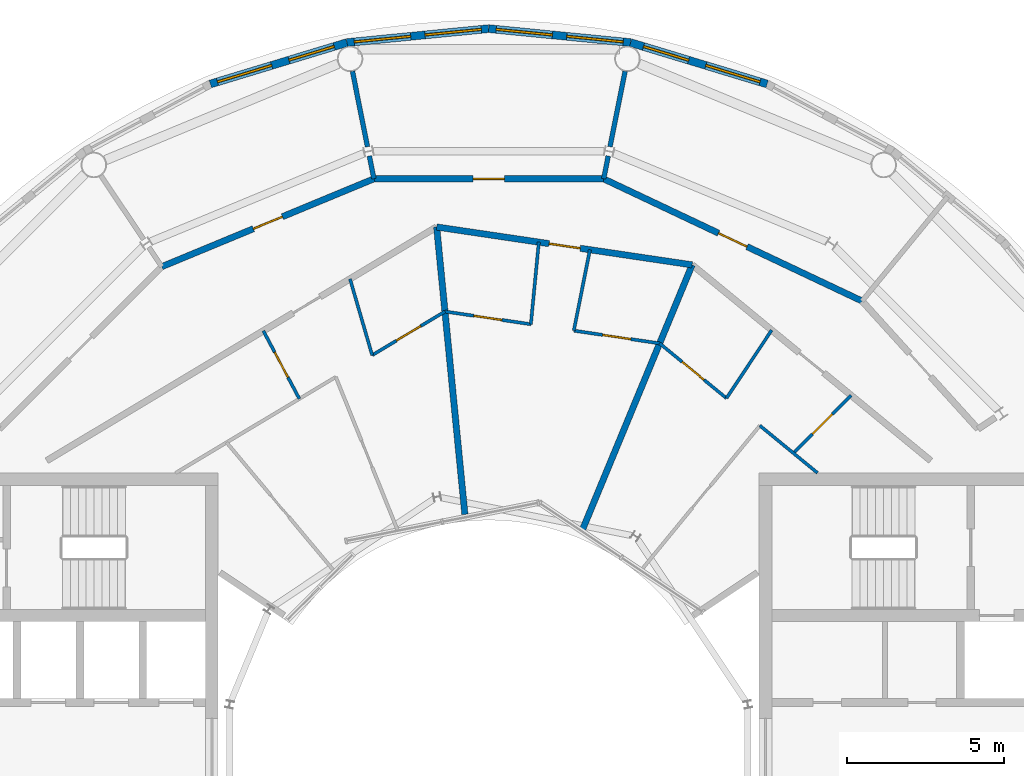
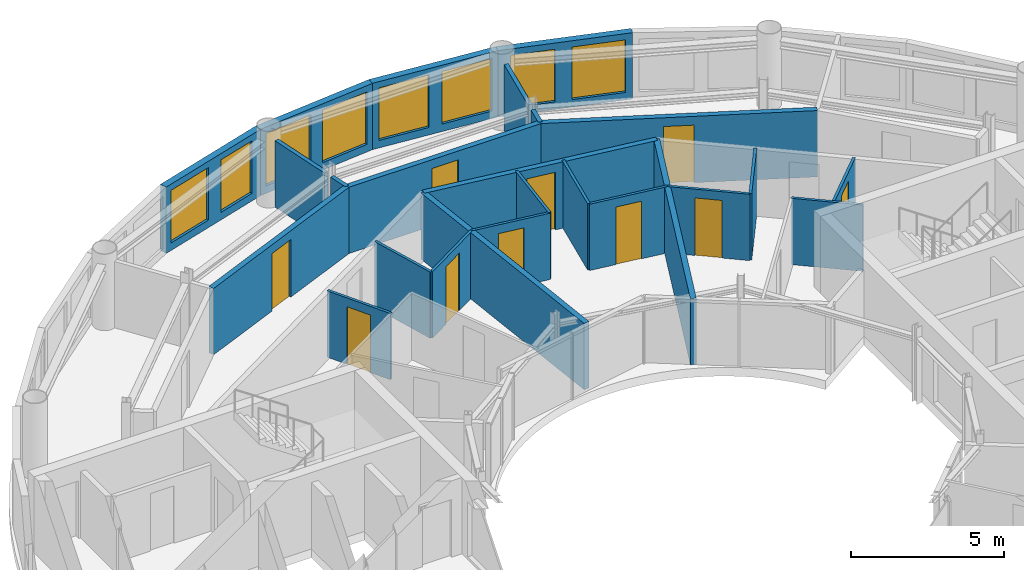
# One storey, part 13 of 17: 25 walls, 10 doors, 8 windows, 18 openings.
"""IFC4 building model written with IfcOpenShell, lengths in metres."""

from ifc_helpers import new_model, si_unit, direction, frame, frame_2d, origin, place, context, subcontext, project, spatial, rectangle, extrude, material, layer, layer_set, type_object, element, fill, save


model = new_model("IFC4")

# Units and contexts
model_context = context("Model", 3, precision=1e-05, world=origin(), true_north=direction((0.0, 1.0)))
body_context = subcontext(model_context, "Body", "Model", "MODEL_VIEW")
ifc_project = project(units=[si_unit("LENGTHUNIT", "METRE"), si_unit("AREAUNIT", "SQUARE_METRE"), si_unit("VOLUMEUNIT", "CUBIC_METRE"), si_unit("PLANEANGLEUNIT", "RADIAN"), si_unit("MASSUNIT", "GRAM", prefix="KILO")], contexts=[model_context])

# Site, building, storey
site_placement = place(None, origin())
site = spatial("IfcSite", under=ifc_project, at=site_placement, CompositionType="ELEMENT")
building_placement = place(site_placement, origin())
building = spatial("IfcBuilding", under=site, at=building_placement, Name="Maasbend Ring Residences", CompositionType="ELEMENT")
storey_placement = place(building_placement, frame((0.0, 0.0, 252.35009765625)))
storey = spatial("IfcBuildingStorey", under=building, at=storey_placement, Name="L73", CompositionType="ELEMENT", Elevation=252.35009765625)

# Wall, opening, door
ifc_material_1 = material(Name="Concrete C30/37", Category="concrete")
ifc_layer_1 = layer(ifc_material_1, 0.199951171875)
ifc_layer_set_1 = layer_set([ifc_layer_1], Name="Concrete C30/37")
wall_type_1 = type_object("IfcWallType", Name="CORRIDOR WALL 200 CONCRETE", PredefinedType="PARTITIONING", material=ifc_layer_set_1)
wall_1_placement = place(storey_placement, frame((-1.656005859375, 16.819091796875, 0.0), z_axis=(0.0, 0.0, 1.0), x_axis=(0.989174071716, -0.146746910856, 0.0)))
wall_1 = element("IfcWall", 1, at=wall_1_placement, inside=storey, type_object=wall_type_1, Name="U-L73-w065", PredefinedType="PARTITIONING", context=body_context, shape_type="SweptSolid", body=[
    extrude(rectangle(XDim=8.2119140625, YDim=0.199951171875, at=frame_2d((4.10595703125, 0.0))), origin(), (0.0, 0.0, 1.0), 2.64990234375),
])
opening_1_placement = place(wall_1_placement, frame((3.614013671875, 0.0, 0.0)))
opening_1 = element("IfcOpeningElement", 2, at=opening_1_placement, cuts=wall_1, Name="Opening D-7315", PredefinedType="OPENING", context=body_context, shape_type="SweptSolid", body=[
    extrude(rectangle(XDim=1.0, YDim=2.300048828125, at=frame_2d((0.5, 1.14990234375))), frame((0.0, 0.10986328125, 0.0), z_axis=(0.0, -1.0, 0.0), x_axis=(1.0, 0.0, 0.0)), (0.0, 0.0, 1.0), 0.219970703125),
])
ifc_material_2 = material(Name="Timber, fire-rated, painted", Category="wood")
door_type_1 = type_object("IfcDoorType", Name="FLAT ENTRANCE DOOR 1000 X 2300 FIRE-RATED", OperationType="NOTDEFINED", PredefinedType="DOOR", material=ifc_material_2)
door_1_placement = place(opening_1_placement, origin())
door_1 = element("IfcDoor", 3, at=door_1_placement, inside=storey, type_object=door_type_1, Name="D-7315", OperationType="SINGLE_SWING_RIGHT", OverallHeight=2.300048828125, OverallWidth=1.0, PredefinedType="DOOR", context=body_context, shape_type="SweptSolid", body=[
    extrude(rectangle(XDim=1.0, YDim=2.300048828125, at=frame_2d((0.5, 1.14990234375))), frame((0.0, 0.02490234375, 0.0), z_axis=(0.0, -1.0, 0.0), x_axis=(1.0, 0.0, 0.0)), (0.0, 0.0, 1.0), 0.050048828125),
])
fill(opening_1, door_1)

wall_2_placement = place(storey_placement, frame((3.64990234375, 18.35107421875, 0.0), z_axis=(0.0, 0.0, 1.0), x_axis=(0.904027935406, -0.427473381634, 0.0)))
wall_2 = element("IfcWall", 4, at=wall_2_placement, inside=storey, type_object=wall_type_1, Name="U-L73-w066", PredefinedType="PARTITIONING", context=body_context, shape_type="SweptSolid", body=[
    extrude(rectangle(XDim=9.0927734375, YDim=0.199951171875, at=frame_2d((4.54638671875, 0.0))), origin(), (0.0, 0.0, 1.0), 2.64990234375),
])
opening_2_placement = place(wall_2_placement, frame((4.0458984375, 0.0, 0.0)))
opening_2 = element("IfcOpeningElement", 5, at=opening_2_placement, cuts=wall_2, Name="Opening D-7302", PredefinedType="OPENING", context=body_context, shape_type="SweptSolid", body=[
    extrude(rectangle(XDim=1.0, YDim=2.300048828125, at=frame_2d((0.5, 1.14990234375))), frame((0.0, 0.10986328125, 0.0), z_axis=(0.0, -1.0, 0.0), x_axis=(1.0, 0.0, 0.0)), (0.0, 0.0, 1.0), 0.219970703125),
])
ifc_material_3 = material(Name="Timber, painted", Category="wood")
door_type_2 = type_object("IfcDoorType", Name="ROOM DOOR 1000 X 2300", OperationType="NOTDEFINED", PredefinedType="DOOR", material=ifc_material_3)
door_2_placement = place(opening_2_placement, origin())
door_2 = element("IfcDoor", 6, at=door_2_placement, inside=storey, type_object=door_type_2, Name="D-7302", OperationType="SINGLE_SWING_RIGHT", OverallHeight=2.300048828125, OverallWidth=1.0, PredefinedType="DOOR", context=body_context, shape_type="SweptSolid", body=[
    extrude(rectangle(XDim=1.0, YDim=2.300048828125, at=frame_2d((0.5, 1.14990234375))), frame((0.0, 0.02490234375, 0.0), z_axis=(0.0, -1.0, 0.0), x_axis=(1.0, 0.0, 0.0)), (0.0, 0.0, 1.0), 0.050048828125),
])
fill(opening_2, door_2)

wall_3_placement = place(storey_placement, frame((-10.39501953125, 15.556884765625, 0.0), z_axis=(0.0, 0.0, 1.0), x_axis=(0.923866436038, 0.382715048518, 0.0)))
wall_3 = element("IfcWall", 7, at=wall_3_placement, inside=storey, type_object=wall_type_1, Name="U-L73-w068", PredefinedType="PARTITIONING", context=body_context, shape_type="SweptSolid", body=[
    extrude(rectangle(XDim=7.301025390625, YDim=0.199951171875, at=frame_2d((3.650390625, 0.0))), origin(), (0.0, 0.0, 1.0), 2.64990234375),
])
opening_3_placement = place(wall_3_placement, frame((3.14990234375, 0.0, 0.0)))
opening_3 = element("IfcOpeningElement", 8, at=opening_3_placement, cuts=wall_3, Name="Opening D-7304", PredefinedType="OPENING", context=body_context, shape_type="SweptSolid", body=[
    extrude(rectangle(XDim=1.0, YDim=2.300048828125, at=frame_2d((0.5, 1.14990234375))), frame((0.0, 0.10986328125, 0.0), z_axis=(0.0, -1.0, 0.0), x_axis=(1.0, 0.0, 0.0)), (0.0, 0.0, 1.0), 0.219970703125),
])
door_3_placement = place(opening_3_placement, origin())
door_3 = element("IfcDoor", 9, at=door_3_placement, inside=storey, type_object=door_type_2, Name="D-7304", OperationType="SINGLE_SWING_LEFT", OverallHeight=2.300048828125, OverallWidth=1.0, PredefinedType="DOOR", context=body_context, shape_type="SweptSolid", body=[
    extrude(rectangle(XDim=1.0, YDim=2.300048828125, at=frame_2d((0.5, 1.14990234375))), frame((0.0, 0.02490234375, 0.0), z_axis=(0.0, -1.0, 0.0), x_axis=(1.0, 0.0, 0.0)), (0.0, 0.0, 1.0), 0.050048828125),
])
fill(opening_3, door_3)

wall_4_placement = place(storey_placement, frame((-3.64990234375, 18.35107421875, 0.0), z_axis=(0.0, 0.0, 1.0), x_axis=(1.0, 0.0, 0.0)))
wall_4 = element("IfcWall", 10, at=wall_4_placement, inside=storey, type_object=wall_type_1, Name="U-L73-w069", PredefinedType="PARTITIONING", context=body_context, shape_type="SweptSolid", body=[
    extrude(rectangle(XDim=7.2998046875, YDim=0.199951171875, at=frame_2d((3.64990234375, 0.0))), origin(), (0.0, 0.0, 1.0), 2.64990234375),
])
opening_4_placement = place(wall_4_placement, frame((3.14990234375, 0.0, 0.0)))
opening_4 = element("IfcOpeningElement", 11, at=opening_4_placement, cuts=wall_4, Name="Opening D-7303", PredefinedType="OPENING", context=body_context, shape_type="SweptSolid", body=[
    extrude(rectangle(XDim=1.0, YDim=2.300048828125, at=frame_2d((0.5, 1.14990234375))), frame((0.0, 0.10986328125, 0.0), z_axis=(0.0, -1.0, 0.0), x_axis=(1.0, 0.0, 0.0)), (0.0, 0.0, 1.0), 0.219970703125),
])
door_4_placement = place(opening_4_placement, origin())
door_4 = element("IfcDoor", 12, at=door_4_placement, inside=storey, type_object=door_type_2, Name="D-7303", OperationType="SINGLE_SWING_LEFT", OverallHeight=2.300048828125, OverallWidth=1.0, PredefinedType="DOOR", context=body_context, shape_type="SweptSolid", body=[
    extrude(rectangle(XDim=1.0, YDim=2.300048828125, at=frame_2d((0.5, 1.14990234375))), frame((0.0, 0.02490234375, 0.0), z_axis=(0.0, -1.0, 0.0), x_axis=(1.0, 0.0, 0.0)), (0.0, 0.0, 1.0), 0.050048828125),
])
fill(opening_4, door_4)

# Wall, openings, windows
ifc_material_4 = material(Name="Aluminium clad insulated panel", Category="aluminium")
ifc_layer_2 = layer(ifc_material_4, 0.25)
ifc_layer_set_2 = layer_set([ifc_layer_2], Name="EW-GL")
wall_type_2 = type_object("IfcWallType", Name="EW-GL", PredefinedType="SOLIDWALL", material=ifc_layer_set_2)
wall_5_placement = place(storey_placement, frame((8.85009765625, 21.364990234375, 0.0), z_axis=(0.0, 0.0, 1.0), x_axis=(-0.956960982965, 0.290216603735, 0.0)))
wall_5 = element("IfcWall", 13, at=wall_5_placement, inside=storey, type_object=wall_type_2, Name="External wall N04", PredefinedType="SOLIDWALL", context=body_context, shape_type="SweptSolid", body=[
    extrude(rectangle(XDim=4.5341796875, YDim=0.25, at=frame_2d((2.26708984375, 0.0))), origin(), (0.0, 0.0, 1.0), 2.64990234375),
])
opening_5_placement = place(wall_5_placement, frame((0.236083984375, 0.0, 0.300048828125)))
opening_5 = element("IfcOpeningElement", 14, at=opening_5_placement, cuts=wall_5, Name="Opening W-BX", PredefinedType="OPENING", context=body_context, shape_type="SweptSolid", body=[
    extrude(rectangle(XDim=1.800048828125, YDim=2.10009765625, at=frame_2d((0.89990234375, 1.050048828125))), frame((0.0, 0.135009765625, 0.0), z_axis=(0.0, -1.0, 0.0), x_axis=(1.0, 0.0, 0.0)), (0.0, 0.0, 1.0), 0.27001953125),
])
opening_6_placement = place(wall_5_placement, frame((2.606689453125, 0.0, 0.300048828125)))
opening_6 = element("IfcOpeningElement", 15, at=opening_6_placement, cuts=wall_5, Name="Opening W-BN", PredefinedType="OPENING", context=body_context, shape_type="SweptSolid", body=[
    extrude(rectangle(XDim=1.5, YDim=2.10009765625, at=frame_2d((0.75, 1.050048828125))), frame((0.0, 0.135009765625, 0.0), z_axis=(0.0, -1.0, 0.0), x_axis=(1.0, 0.0, 0.0)), (0.0, 0.0, 1.0), 0.27001953125),
])
ifc_material_5 = material(Name="Aluminium and clear glass", Category="aluminium")
window_type_1 = type_object("IfcWindowType", Name="W-BN", PartitioningType="SINGLE_PANEL", PredefinedType="WINDOW", material=ifc_material_5)
window_1_placement = place(opening_6_placement, origin())
window_1 = element("IfcWindow", 16, at=window_1_placement, inside=storey, type_object=window_type_1, Name="Window N08", OverallHeight=2.10009765625, OverallWidth=1.5, PartitioningType="SINGLE_PANEL", PredefinedType="WINDOW", context=body_context, shape_type="SweptSolid", body=[
    extrude(rectangle(XDim=1.5, YDim=2.10009765625, at=frame_2d((0.75, 1.050048828125))), frame((0.0, 0.030029296875, 0.0), z_axis=(0.0, -1.0, 0.0), x_axis=(1.0, 0.0, 0.0)), (0.0, 0.0, 1.0), 0.06005859375),
])
fill(opening_6, window_1)
ifc_material_6 = material(Name="Aluminium and clear glass", Category="aluminium")
window_type_2 = type_object("IfcWindowType", Name="W-BX", PartitioningType="DOUBLE_PANEL_VERTICAL", PredefinedType="WINDOW", material=ifc_material_6)
window_2_placement = place(opening_5_placement, origin())
window_2 = element("IfcWindow", 17, at=window_2_placement, inside=storey, type_object=window_type_2, Name="Window N07", OverallHeight=2.10009765625, OverallWidth=1.800048828125, PartitioningType="SINGLE_PANEL", PredefinedType="WINDOW", context=body_context, shape_type="SweptSolid", body=[
    extrude(rectangle(XDim=1.800048828125, YDim=2.10009765625, at=frame_2d((0.89990234375, 1.050048828125))), frame((0.0, 0.030029296875, 0.0), z_axis=(0.0, -1.0, 0.0), x_axis=(1.0, 0.0, 0.0)), (0.0, 0.0, 1.0), 0.06005859375),
])
fill(opening_5, window_2)

wall_6_placement = place(storey_placement, frame((4.510986328125, 22.680908203125, 0.0), z_axis=(0.0, 0.0, 1.0), x_axis=(-0.995189063612, 0.097973096645, 0.0)))
wall_6 = element("IfcWall", 18, at=wall_6_placement, inside=storey, type_object=wall_type_2, Name="External wall N05", PredefinedType="SOLIDWALL", context=body_context, shape_type="SweptSolid", body=[
    extrude(rectangle(XDim=4.53271484375, YDim=0.25, at=frame_2d((2.266357421875, 0.0))), origin(), (0.0, 0.0, 1.0), 2.64990234375),
])
opening_7_placement = place(wall_6_placement, frame((0.236083984375, 0.0, 0.300048828125)))
opening_7 = element("IfcOpeningElement", 19, at=opening_7_placement, cuts=wall_6, Name="Opening W-BX", PredefinedType="OPENING", context=body_context, shape_type="SweptSolid", body=[
    extrude(rectangle(XDim=1.800048828125, YDim=2.10009765625, at=frame_2d((0.89990234375, 1.050048828125))), frame((0.0, 0.135009765625, 0.0), z_axis=(0.0, -1.0, 0.0), x_axis=(1.0, 0.0, 0.0)), (0.0, 0.0, 1.0), 0.27001953125),
])
opening_8_placement = place(wall_6_placement, frame((2.497314453125, 0.0, 0.300048828125)))
opening_8 = element("IfcOpeningElement", 20, at=opening_8_placement, cuts=wall_6, Name="Opening W-BX", PredefinedType="OPENING", context=body_context, shape_type="SweptSolid", body=[
    extrude(rectangle(XDim=1.800048828125, YDim=2.10009765625, at=frame_2d((0.89990234375, 1.050048828125))), frame((0.0, 0.135009765625, 0.0), z_axis=(0.0, -1.0, 0.0), x_axis=(1.0, 0.0, 0.0)), (0.0, 0.0, 1.0), 0.27001953125),
])
window_3_placement = place(opening_7_placement, origin())
window_3 = element("IfcWindow", 21, at=window_3_placement, inside=storey, type_object=window_type_2, Name="Window N09", OverallHeight=2.10009765625, OverallWidth=1.800048828125, PartitioningType="SINGLE_PANEL", PredefinedType="WINDOW", context=body_context, shape_type="SweptSolid", body=[
    extrude(rectangle(XDim=1.800048828125, YDim=2.10009765625, at=frame_2d((0.89990234375, 1.050048828125))), frame((0.0, 0.030029296875, 0.0), z_axis=(0.0, -1.0, 0.0), x_axis=(1.0, 0.0, 0.0)), (0.0, 0.0, 1.0), 0.06005859375),
])
fill(opening_7, window_3)
window_4_placement = place(opening_8_placement, origin())
window_4 = element("IfcWindow", 22, at=window_4_placement, inside=storey, type_object=window_type_2, Name="Window N10", OverallHeight=2.10009765625, OverallWidth=1.800048828125, PartitioningType="SINGLE_PANEL", PredefinedType="WINDOW", context=body_context, shape_type="SweptSolid", body=[
    extrude(rectangle(XDim=1.800048828125, YDim=2.10009765625, at=frame_2d((0.89990234375, 1.050048828125))), frame((0.0, 0.030029296875, 0.0), z_axis=(0.0, -1.0, 0.0), x_axis=(1.0, 0.0, 0.0)), (0.0, 0.0, 1.0), 0.06005859375),
])
fill(opening_8, window_4)

wall_7_placement = place(storey_placement, frame((0.0, 23.125, 0.0), z_axis=(0.0, 0.0, 1.0), x_axis=(-0.995189063612, -0.097973096645, 0.0)))
wall_7 = element("IfcWall", 23, at=wall_7_placement, inside=storey, type_object=wall_type_2, Name="External wall N06", PredefinedType="SOLIDWALL", context=body_context, shape_type="SweptSolid", body=[
    extrude(rectangle(XDim=4.53271484375, YDim=0.25, at=frame_2d((2.266357421875, 0.0))), origin(), (0.0, 0.0, 1.0), 2.64990234375),
])
opening_9_placement = place(wall_7_placement, frame((0.236083984375, 0.0, 0.300048828125)))
opening_9 = element("IfcOpeningElement", 24, at=opening_9_placement, cuts=wall_7, Name="Opening W-BX", PredefinedType="OPENING", context=body_context, shape_type="SweptSolid", body=[
    extrude(rectangle(XDim=1.800048828125, YDim=2.10009765625, at=frame_2d((0.89990234375, 1.050048828125))), frame((0.0, 0.135009765625, 0.0), z_axis=(0.0, -1.0, 0.0), x_axis=(1.0, 0.0, 0.0)), (0.0, 0.0, 1.0), 0.27001953125),
])
opening_10_placement = place(wall_7_placement, frame((2.497314453125, 0.0, 0.300048828125)))
opening_10 = element("IfcOpeningElement", 25, at=opening_10_placement, cuts=wall_7, Name="Opening W-BX", PredefinedType="OPENING", context=body_context, shape_type="SweptSolid", body=[
    extrude(rectangle(XDim=1.800048828125, YDim=2.10009765625, at=frame_2d((0.89990234375, 1.050048828125))), frame((0.0, 0.135009765625, 0.0), z_axis=(0.0, -1.0, 0.0), x_axis=(1.0, 0.0, 0.0)), (0.0, 0.0, 1.0), 0.27001953125),
])
window_5_placement = place(opening_9_placement, origin())
window_5 = element("IfcWindow", 26, at=window_5_placement, inside=storey, type_object=window_type_2, Name="Window N11", OverallHeight=2.10009765625, OverallWidth=1.800048828125, PartitioningType="SINGLE_PANEL", PredefinedType="WINDOW", context=body_context, shape_type="SweptSolid", body=[
    extrude(rectangle(XDim=1.800048828125, YDim=2.10009765625, at=frame_2d((0.89990234375, 1.050048828125))), frame((0.0, 0.030029296875, 0.0), z_axis=(0.0, -1.0, 0.0), x_axis=(1.0, 0.0, 0.0)), (0.0, 0.0, 1.0), 0.06005859375),
])
fill(opening_9, window_5)
window_6_placement = place(opening_10_placement, origin())
window_6 = element("IfcWindow", 27, at=window_6_placement, inside=storey, type_object=window_type_2, Name="Window N12", OverallHeight=2.10009765625, OverallWidth=1.800048828125, PartitioningType="SINGLE_PANEL", PredefinedType="WINDOW", context=body_context, shape_type="SweptSolid", body=[
    extrude(rectangle(XDim=1.800048828125, YDim=2.10009765625, at=frame_2d((0.89990234375, 1.050048828125))), frame((0.0, 0.030029296875, 0.0), z_axis=(0.0, -1.0, 0.0), x_axis=(1.0, 0.0, 0.0)), (0.0, 0.0, 1.0), 0.06005859375),
])
fill(opening_10, window_6)

wall_8_placement = place(storey_placement, frame((-4.510986328125, 22.680908203125, 0.0), z_axis=(0.0, 0.0, 1.0), x_axis=(-0.956960982965, -0.290216603735, 0.0)))
wall_8 = element("IfcWall", 28, at=wall_8_placement, inside=storey, type_object=wall_type_2, Name="External wall N07", PredefinedType="SOLIDWALL", context=body_context, shape_type="SweptSolid", body=[
    extrude(rectangle(XDim=4.5341796875, YDim=0.25, at=frame_2d((2.26708984375, 0.0))), origin(), (0.0, 0.0, 1.0), 2.64990234375),
])
opening_11_placement = place(wall_8_placement, frame((0.419921875, 0.0, 0.300048828125)))
opening_11 = element("IfcOpeningElement", 29, at=opening_11_placement, cuts=wall_8, Name="Opening W-BN", PredefinedType="OPENING", context=body_context, shape_type="SweptSolid", body=[
    extrude(rectangle(XDim=1.5, YDim=2.10009765625, at=frame_2d((0.75, 1.050048828125))), frame((0.0, 0.135009765625, 0.0), z_axis=(0.0, -1.0, 0.0), x_axis=(1.0, 0.0, 0.0)), (0.0, 0.0, 1.0), 0.27001953125),
])
opening_12_placement = place(wall_8_placement, frame((2.497314453125, 0.0, 0.300048828125)))
opening_12 = element("IfcOpeningElement", 30, at=opening_12_placement, cuts=wall_8, Name="Opening W-BX", PredefinedType="OPENING", context=body_context, shape_type="SweptSolid", body=[
    extrude(rectangle(XDim=1.800048828125, YDim=2.10009765625, at=frame_2d((0.89990234375, 1.050048828125))), frame((0.0, 0.135009765625, 0.0), z_axis=(0.0, -1.0, 0.0), x_axis=(1.0, 0.0, 0.0)), (0.0, 0.0, 1.0), 0.27001953125),
])
window_7_placement = place(opening_11_placement, origin())
window_7 = element("IfcWindow", 31, at=window_7_placement, inside=storey, type_object=window_type_1, Name="Window N13", OverallHeight=2.10009765625, OverallWidth=1.5, PartitioningType="SINGLE_PANEL", PredefinedType="WINDOW", context=body_context, shape_type="SweptSolid", body=[
    extrude(rectangle(XDim=1.5, YDim=2.10009765625, at=frame_2d((0.75, 1.050048828125))), frame((0.0, 0.030029296875, 0.0), z_axis=(0.0, -1.0, 0.0), x_axis=(1.0, 0.0, 0.0)), (0.0, 0.0, 1.0), 0.06005859375),
])
fill(opening_11, window_7)
window_8_placement = place(opening_12_placement, origin())
window_8 = element("IfcWindow", 32, at=window_8_placement, inside=storey, type_object=window_type_2, Name="Window N14", OverallHeight=2.10009765625, OverallWidth=1.800048828125, PartitioningType="SINGLE_PANEL", PredefinedType="WINDOW", context=body_context, shape_type="SweptSolid", body=[
    extrude(rectangle(XDim=1.800048828125, YDim=2.10009765625, at=frame_2d((0.89990234375, 1.050048828125))), frame((0.0, 0.030029296875, 0.0), z_axis=(0.0, -1.0, 0.0), x_axis=(1.0, 0.0, 0.0)), (0.0, 0.0, 1.0), 0.06005859375),
])
fill(opening_12, window_8)

# Wall, opening, door
ifc_material_7 = material(Name="Gypsum board on steel studs", Category="steel")
ifc_layer_3 = layer(ifc_material_7, 0.10009765625)
ifc_layer_set_3 = layer_set([ifc_layer_3], Name="PARTITION 100 GYPSUM")
wall_type_3 = type_object("IfcWallType", Name="PARTITION 100 GYPSUM", PredefinedType="PARTITIONING", material=ifc_layer_set_3)
wall_9_placement = place(storey_placement, frame((-7.166015625, 13.51708984375, 0.0), z_axis=(0.0, 0.0, 1.0), x_axis=(0.468337293896, -0.883549760425, 0.0)))
wall_9 = element("IfcWall", 33, at=wall_9_placement, inside=storey, type_object=wall_type_3, Name="U-L73-w024", PredefinedType="PARTITIONING", context=body_context, shape_type="SweptSolid", body=[
    extrude(rectangle(XDim=2.44482421875, YDim=0.10009765625, at=frame_2d((1.222412109375, 0.0))), origin(), (0.0, 0.0, 1.0), 2.64990234375),
])
opening_13_placement = place(wall_9_placement, frame((0.77197265625, 0.0, 0.0)))
opening_13 = element("IfcOpeningElement", 34, at=opening_13_placement, cuts=wall_9, Name="Opening D-7320", PredefinedType="OPENING", context=body_context, shape_type="SweptSolid", body=[
    extrude(rectangle(XDim=0.89990234375, YDim=2.300048828125, at=frame_2d((0.449951171875, 1.14990234375))), frame((0.0, 0.06005859375, 0.0), z_axis=(0.0, -1.0, 0.0), x_axis=(1.0, 0.0, 0.0)), (0.0, 0.0, 1.0), 0.1201171875),
])
ifc_material_8 = material(Name="Timber, painted", Category="wood")
door_type_3 = type_object("IfcDoorType", Name="INTERNAL DOOR 900 X 2300", OperationType="NOTDEFINED", PredefinedType="DOOR", material=ifc_material_8)
door_5_placement = place(opening_13_placement, origin())
door_5 = element("IfcDoor", 35, at=door_5_placement, inside=storey, type_object=door_type_3, Name="D-7320", OperationType="SINGLE_SWING_LEFT", OverallHeight=2.300048828125, OverallWidth=0.89990234375, PredefinedType="DOOR", context=body_context, shape_type="SweptSolid", body=[
    extrude(rectangle(XDim=0.89990234375, YDim=2.300048828125, at=frame_2d((0.449951171875, 1.14990234375))), frame((0.0, 0.02490234375, 0.0), z_axis=(0.0, -1.0, 0.0), x_axis=(1.0, 0.0, 0.0)), (0.0, 0.0, 1.0), 0.050048828125),
])
fill(opening_13, door_5)

# Walls
wall_10_placement = place(storey_placement, frame((-4.410888671875, 15.16796875, 0.0), z_axis=(0.0, 0.0, 1.0), x_axis=(0.279201466266, -0.960232545395, 0.0)))
element("IfcWall", 36, at=wall_10_placement, inside=storey, type_object=wall_type_3, Name="U-L73-w028", PredefinedType="PARTITIONING", context=body_context, shape_type="SweptSolid", body=[
    extrude(rectangle(XDim=2.5244140625, YDim=0.10009765625, at=frame_2d((1.26220703125, 0.0))), origin(), (0.0, 0.0, 1.0), 2.64990234375),
])
wall_11_placement = place(storey_placement, frame((1.339111328125, 13.72705078125, 0.0), z_axis=(0.0, 0.0, 1.0), x_axis=(0.096830025237, 0.995300932489, 0.0)))
element("IfcWall", 37, at=wall_11_placement, inside=storey, type_object=wall_type_3, Name="U-L73-w036", PredefinedType="PARTITIONING", context=body_context, shape_type="SweptSolid", body=[
    extrude(rectangle(XDim=2.6220703125, YDim=0.10009765625, at=frame_2d((1.31103515625, 0.0))), origin(), (0.0, 0.0, 1.0), 2.64990234375),
])
wall_12_placement = place(storey_placement, frame((2.7041015625, 13.52392578125, 0.0), z_axis=(0.0, 0.0, 1.0), x_axis=(0.195937128464, 0.980616460034, 0.0)))
element("IfcWall", 38, at=wall_12_placement, inside=storey, type_object=wall_type_3, Name="U-L73-w039", PredefinedType="PARTITIONING", context=body_context, shape_type="SweptSolid", body=[
    extrude(rectangle(XDim=2.622802734375, YDim=0.10009765625, at=frame_2d((1.3115234375, 0.0))), origin(), (0.0, 0.0, 1.0), 2.64990234375),
])
wall_13_placement = place(storey_placement, frame((7.55810546875, 11.3759765625, 0.0), z_axis=(0.0, 0.0, 1.0), x_axis=(0.553615197403, 0.83277260594, 0.0)))
element("IfcWall", 39, at=wall_13_placement, inside=storey, type_object=wall_type_3, Name="U-L73-w048", PredefinedType="PARTITIONING", context=body_context, shape_type="SweptSolid", body=[
    extrude(rectangle(XDim=2.597412109375, YDim=0.10009765625, at=frame_2d((1.298828125, 0.0))), origin(), (0.0, 0.0, 1.0), 2.64990234375),
])

# Wall, opening, door
wall_14_placement = place(storey_placement, frame((9.68310546875, 9.632080078125, 0.0), z_axis=(0.0, 0.0, 1.0), x_axis=(0.708796844581, 0.705412668665, 0.0)))
wall_14 = element("IfcWall", 40, at=wall_14_placement, inside=storey, type_object=wall_type_3, Name="U-L73-w049", PredefinedType="PARTITIONING", context=body_context, shape_type="SweptSolid", body=[
    extrude(rectangle(XDim=2.59716796875, YDim=0.10009765625, at=frame_2d((1.298583984375, 0.0))), origin(), (0.0, 0.0, 1.0), 2.64990234375),
])
opening_14_placement = place(wall_14_placement, frame((0.84912109375, 0.0, 0.0)))
opening_14 = element("IfcOpeningElement", 41, at=opening_14_placement, cuts=wall_14, Name="Opening D-7313", PredefinedType="OPENING", context=body_context, shape_type="SweptSolid", body=[
    extrude(rectangle(XDim=0.89990234375, YDim=2.300048828125, at=frame_2d((0.449951171875, 1.14990234375))), frame((0.0, 0.06005859375, 0.0), z_axis=(0.0, -1.0, 0.0), x_axis=(1.0, 0.0, 0.0)), (0.0, 0.0, 1.0), 0.1201171875),
])
door_6_placement = place(opening_14_placement, origin())
door_6 = element("IfcDoor", 42, at=door_6_placement, inside=storey, type_object=door_type_3, Name="D-7313", OperationType="SINGLE_SWING_LEFT", OverallHeight=2.300048828125, OverallWidth=0.89990234375, PredefinedType="DOOR", context=body_context, shape_type="SweptSolid", body=[
    extrude(rectangle(XDim=0.89990234375, YDim=2.300048828125, at=frame_2d((0.449951171875, 1.14990234375))), frame((0.0, 0.02490234375, 0.0), z_axis=(0.0, -1.0, 0.0), x_axis=(1.0, 0.0, 0.0)), (0.0, 0.0, 1.0), 0.050048828125),
])
fill(opening_14, door_6)

wall_15_placement = place(storey_placement, frame((-3.7060546875, 12.743896484375, 0.0), z_axis=(0.0, 0.0, 1.0), x_axis=(0.857524856518, 0.514442533674, 0.0)))
wall_15 = element("IfcWall", 43, at=wall_15_placement, inside=storey, type_object=wall_type_3, Name="U-L73-w058", PredefinedType="PARTITIONING", context=body_context, shape_type="SweptSolid", body=[
    extrude(rectangle(XDim=2.698486328125, YDim=0.10009765625, at=frame_2d((1.34912109375, 0.0))), origin(), (0.0, 0.0, 1.0), 2.64990234375),
])
opening_15_placement = place(wall_15_placement, frame((0.89892578125, 0.0, 0.0)))
opening_15 = element("IfcOpeningElement", 44, at=opening_15_placement, cuts=wall_15, Name="Opening D-7319", PredefinedType="OPENING", context=body_context, shape_type="SweptSolid", body=[
    extrude(rectangle(XDim=0.89990234375, YDim=2.300048828125, at=frame_2d((0.449951171875, 1.14990234375))), frame((0.0, 0.06005859375, 0.0), z_axis=(0.0, -1.0, 0.0), x_axis=(1.0, 0.0, 0.0)), (0.0, 0.0, 1.0), 0.1201171875),
])
door_7_placement = place(opening_15_placement, origin())
door_7 = element("IfcDoor", 45, at=door_7_placement, inside=storey, type_object=door_type_3, Name="D-7319", OperationType="SINGLE_SWING_RIGHT", OverallHeight=2.300048828125, OverallWidth=0.89990234375, PredefinedType="DOOR", context=body_context, shape_type="SweptSolid", body=[
    extrude(rectangle(XDim=0.89990234375, YDim=2.300048828125, at=frame_2d((0.449951171875, 1.14990234375))), frame((0.0, 0.02490234375, 0.0), z_axis=(0.0, -1.0, 0.0), x_axis=(1.0, 0.0, 0.0)), (0.0, 0.0, 1.0), 0.050048828125),
])
fill(opening_15, door_7)

wall_16_placement = place(storey_placement, frame((5.430908203125, 13.1201171875, 0.0), z_axis=(0.0, 0.0, 1.0), x_axis=(0.773149312811, -0.634224045665, 0.0)))
wall_16 = element("IfcWall", 46, at=wall_16_placement, inside=storey, type_object=wall_type_3, Name="U-L73-w059", PredefinedType="PARTITIONING", context=body_context, shape_type="SweptSolid", body=[
    extrude(rectangle(XDim=2.74853515625, YDim=0.10009765625, at=frame_2d((1.374267578125, 0.0))), origin(), (0.0, 0.0, 1.0), 2.64990234375),
])
opening_16_placement = place(wall_16_placement, frame((0.927001953125, 0.0, 0.0)))
opening_16 = element("IfcOpeningElement", 47, at=opening_16_placement, cuts=wall_16, Name="Opening D-7312", PredefinedType="OPENING", context=body_context, shape_type="SweptSolid", body=[
    extrude(rectangle(XDim=0.89990234375, YDim=2.300048828125, at=frame_2d((0.449951171875, 1.14990234375))), frame((0.0, 0.06005859375, 0.0), z_axis=(0.0, -1.0, 0.0), x_axis=(1.0, 0.0, 0.0)), (0.0, 0.0, 1.0), 0.1201171875),
])
door_8_placement = place(opening_16_placement, origin())
door_8 = element("IfcDoor", 48, at=door_8_placement, inside=storey, type_object=door_type_3, Name="D-7312", OperationType="SINGLE_SWING_RIGHT", OverallHeight=2.300048828125, OverallWidth=0.89990234375, PredefinedType="DOOR", context=body_context, shape_type="SweptSolid", body=[
    extrude(rectangle(XDim=0.89990234375, YDim=2.300048828125, at=frame_2d((0.449951171875, 1.14990234375))), frame((0.0, 0.02490234375, 0.0), z_axis=(0.0, -1.0, 0.0), x_axis=(1.0, 0.0, 0.0)), (0.0, 0.0, 1.0), 0.050048828125),
])
fill(opening_16, door_8)

# Wall
wall_17_placement = place(storey_placement, frame((8.618896484375, 10.5048828125, 0.0), z_axis=(0.0, 0.0, 1.0), x_axis=(0.773094085324, -0.634291364624, 0.0)))
element("IfcWall", 49, at=wall_17_placement, inside=storey, type_object=wall_type_3, Name="U-L73-w060", PredefinedType="PARTITIONING", context=body_context, shape_type="SweptSolid", body=[
    extrude(rectangle(XDim=2.37109375, YDim=0.10009765625, at=frame_2d((1.185546875, 0.0))), origin(), (0.0, 0.0, 1.0), 2.64990234375),
])

# Wall, opening, door
wall_18_placement = place(storey_placement, frame((-1.39208984375, 14.132080078125, 0.0), z_axis=(0.0, 0.0, 1.0), x_axis=(0.989153611195, -0.146884762516, 0.0)))
wall_18 = element("IfcWall", 50, at=wall_18_placement, inside=storey, type_object=wall_type_3, Name="U-L73-w061", PredefinedType="PARTITIONING", context=body_context, shape_type="SweptSolid", body=[
    extrude(rectangle(XDim=2.76416015625, YDim=0.10009765625, at=frame_2d((1.382080078125, 0.0))), origin(), (0.0, 0.0, 1.0), 2.64990234375),
])
opening_17_placement = place(wall_18_placement, frame((0.931884765625, 0.0, 0.0)))
opening_17 = element("IfcOpeningElement", 51, at=opening_17_placement, cuts=wall_18, Name="Opening D-7317", PredefinedType="OPENING", context=body_context, shape_type="SweptSolid", body=[
    extrude(rectangle(XDim=0.89990234375, YDim=2.300048828125, at=frame_2d((0.449951171875, 1.14990234375))), frame((0.0, 0.06005859375, 0.0), z_axis=(0.0, -1.0, 0.0), x_axis=(1.0, 0.0, 0.0)), (0.0, 0.0, 1.0), 0.1201171875),
])
door_9_placement = place(opening_17_placement, origin())
door_9 = element("IfcDoor", 52, at=door_9_placement, inside=storey, type_object=door_type_3, Name="D-7317", OperationType="SINGLE_SWING_RIGHT", OverallHeight=2.300048828125, OverallWidth=0.89990234375, PredefinedType="DOOR", context=body_context, shape_type="SweptSolid", body=[
    extrude(rectangle(XDim=0.89990234375, YDim=2.300048828125, at=frame_2d((0.449951171875, 1.14990234375))), frame((0.0, 0.02490234375, 0.0), z_axis=(0.0, -1.0, 0.0), x_axis=(1.0, 0.0, 0.0)), (0.0, 0.0, 1.0), 0.050048828125),
])
fill(opening_17, door_9)

wall_19_placement = place(storey_placement, frame((2.70703125, 13.52294921875, 0.0), z_axis=(0.0, 0.0, 1.0), x_axis=(0.98916494308, -0.146808430897, 0.0)))
wall_19 = element("IfcWall", 53, at=wall_19_placement, inside=storey, type_object=wall_type_3, Name="U-L73-w062", PredefinedType="PARTITIONING", context=body_context, shape_type="SweptSolid", body=[
    extrude(rectangle(XDim=2.7587890625, YDim=0.10009765625, at=frame_2d((1.37939453125, 0.0))), origin(), (0.0, 0.0, 1.0), 2.64990234375),
])
opening_18_placement = place(wall_19_placement, frame((0.927001953125, 0.0, 0.0)))
opening_18 = element("IfcOpeningElement", 54, at=opening_18_placement, cuts=wall_19, Name="Opening D-7316", PredefinedType="OPENING", context=body_context, shape_type="SweptSolid", body=[
    extrude(rectangle(XDim=0.89990234375, YDim=2.300048828125, at=frame_2d((0.449951171875, 1.14990234375))), frame((0.0, 0.06005859375, 0.0), z_axis=(0.0, -1.0, 0.0), x_axis=(1.0, 0.0, 0.0)), (0.0, 0.0, 1.0), 0.1201171875),
])
door_10_placement = place(opening_18_placement, origin())
door_10 = element("IfcDoor", 55, at=door_10_placement, inside=storey, type_object=door_type_3, Name="D-7316", OperationType="SINGLE_SWING_LEFT", OverallHeight=2.300048828125, OverallWidth=0.89990234375, PredefinedType="DOOR", context=body_context, shape_type="SweptSolid", body=[
    extrude(rectangle(XDim=0.89990234375, YDim=2.300048828125, at=frame_2d((0.449951171875, 1.14990234375))), frame((0.0, 0.02490234375, 0.0), z_axis=(0.0, -1.0, 0.0), x_axis=(1.0, 0.0, 0.0)), (0.0, 0.0, 1.0), 0.050048828125),
])
fill(opening_18, door_10)

# Walls
ifc_material_9 = material(Name="Gypsum board on steel studs", Category="steel")
ifc_layer_4 = layer(ifc_material_9, 0.14990234375)
ifc_layer_set_4 = layer_set([ifc_layer_4], Name="PARTITION 150 GYPSUM")
wall_type_4 = type_object("IfcWallType", Name="PARTITION 150 GYPSUM", PredefinedType="PARTITIONING", material=ifc_layer_set_4)
wall_20_placement = place(storey_placement, frame((-4.3330078125, 21.77392578125, 0.0), z_axis=(0.0, 0.0, 1.0), x_axis=(0.195043256877, -0.980794641068, 0.0)))
element("IfcWall", 56, at=wall_20_placement, inside=storey, type_object=wall_type_4, Name="U-L73-w029", PredefinedType="PARTITIONING", context=body_context, shape_type="SweptSolid", body=[
    extrude(rectangle(XDim=2.450927734375, YDim=0.14990234375, at=frame_2d((1.2255859375, 0.0))), origin(), (0.0, 0.0, 1.0), 2.64990234375),
])
wall_21_placement = place(storey_placement, frame((-3.7958984375, 19.075927734375, 0.0), z_axis=(0.0, 0.0, 1.0), x_axis=(0.194591088663, -0.980884452019, 0.0)))
element("IfcWall", 57, at=wall_21_placement, inside=storey, type_object=wall_type_4, Name="U-L73-w031", PredefinedType="PARTITIONING", context=body_context, shape_type="SweptSolid", body=[
    extrude(rectangle(XDim=0.739013671875, YDim=0.14990234375, at=frame_2d((0.36962890625, 0.0))), origin(), (0.0, 0.0, 1.0), 2.64990234375),
])
wall_22_placement = place(storey_placement, frame((3.654052734375, 18.35009765625, 0.0), z_axis=(0.0, 0.0, 1.0), x_axis=(0.194656627734, 0.980871447887, 0.0)))
element("IfcWall", 58, at=wall_22_placement, inside=storey, type_object=wall_type_4, Name="U-L73-w042", PredefinedType="PARTITIONING", context=body_context, shape_type="SweptSolid", body=[
    extrude(rectangle(XDim=0.739990234375, YDim=0.14990234375, at=frame_2d((0.3701171875, 0.0))), origin(), (0.0, 0.0, 1.0), 2.64990234375),
])
wall_23_placement = place(storey_placement, frame((3.85693359375, 19.3701171875, 0.0), z_axis=(0.0, 0.0, 1.0), x_axis=(0.195043256877, 0.980794641068, 0.0)))
element("IfcWall", 59, at=wall_23_placement, inside=storey, type_object=wall_type_4, Name="U-L73-w044", PredefinedType="PARTITIONING", context=body_context, shape_type="SweptSolid", body=[
    extrude(rectangle(XDim=2.450927734375, YDim=0.14990234375, at=frame_2d((1.2255859375, 0.0))), origin(), (0.0, 0.0, 1.0), 2.64990234375),
])
ifc_material_10 = material(Name="Concrete C30/37", Category="concrete")
ifc_layer_5 = layer(ifc_material_10, 0.199951171875)
ifc_layer_set_5 = layer_set([ifc_layer_5], Name="Concrete C30/37")
wall_type_5 = type_object("IfcWallType", Name="PARTY WALL 200 CONCRETE", PredefinedType="PARTITIONING", material=ifc_layer_set_5)
wall_24_placement = place(storey_placement, frame((-1.656005859375, 16.819091796875, 0.0), z_axis=(0.0, 0.0, 1.0), x_axis=(0.097815726767, -0.995204543597, 0.0)))
element("IfcWall", 60, at=wall_24_placement, inside=storey, type_object=wall_type_5, Name="U-L73-w034", PredefinedType="PARTITIONING", context=body_context, shape_type="SweptSolid", body=[
    extrude(rectangle(XDim=9.179931640625, YDim=0.199951171875, at=frame_2d((4.58984375, 0.0))), origin(), (0.0, 0.0, 1.0), 2.64990234375),
])
wall_25_placement = place(storey_placement, frame((2.955078125, 7.132080078125, 0.0), z_axis=(0.0, 0.0, 1.0), x_axis=(0.382556139466, 0.923932248683, 0.0)))
element("IfcWall", 61, at=wall_25_placement, inside=storey, type_object=wall_type_5, Name="U-L73-w040", PredefinedType="PARTITIONING", context=body_context, shape_type="SweptSolid", body=[
    extrude(rectangle(XDim=9.18017578125, YDim=0.199951171875, at=frame_2d((4.590087890625, 0.0))), origin(), (0.0, 0.0, 1.0), 2.64990234375),
])

save(model, "model.ifc")
